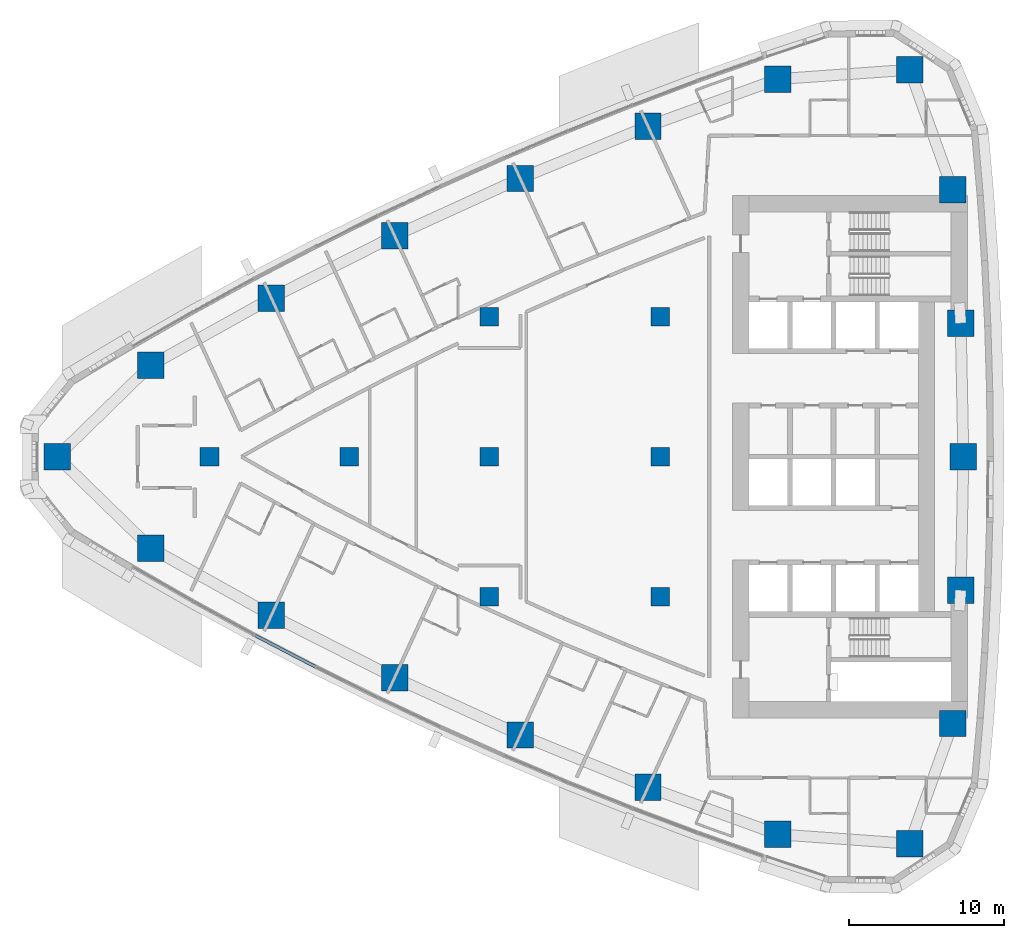
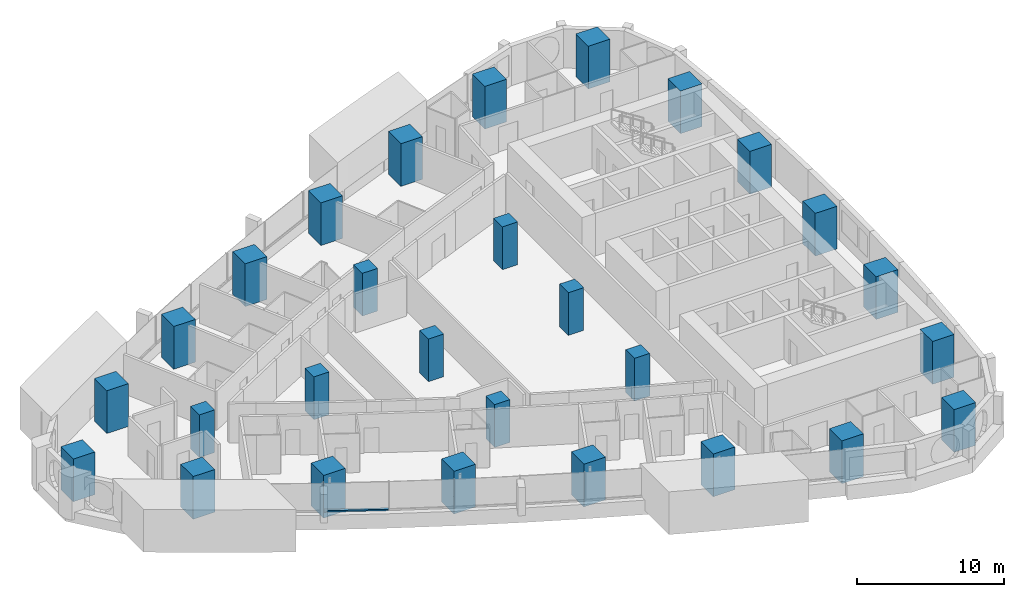
# One storey, part 1 of 17: 28 columns, 1 member, 1 element without a shape of its own.
"""IFC4 building model written with IfcOpenShell, lengths in metres."""

from ifc_helpers import new_model, si_unit, direction, frame, origin, origin_2d, place, context, subcontext, project, spatial, rectangle, extrude, material, layer, layer_set, material_profile, profile_set, type_object, element, aggregate, save


model = new_model("IFC4")

# Units and contexts
model_context = context("Model", 3, precision=1e-05, world=origin(), true_north=direction((0.0, 1.0)))
body_context = subcontext(model_context, "Body", "Model", "MODEL_VIEW")
ifc_project = project(units=[si_unit("LENGTHUNIT", "METRE"), si_unit("AREAUNIT", "SQUARE_METRE"), si_unit("VOLUMEUNIT", "CUBIC_METRE"), si_unit("PLANEANGLEUNIT", "RADIAN"), si_unit("MASSUNIT", "GRAM", prefix="KILO")], contexts=[model_context])

# Site, building, storey
site_placement = place(None, origin())
site = spatial("IfcSite", under=ifc_project, at=site_placement, CompositionType="ELEMENT")
building_placement = place(site_placement, origin())
building = spatial("IfcBuilding", under=site, at=building_placement, Name="Ostrand Prow Hotel Tower", CompositionType="ELEMENT")
storey_placement = place(building_placement, frame((0.0, 0.0, 113.300048828125)))
storey = spatial("IfcBuildingStorey", under=building, at=storey_placement, Name="L27", CompositionType="ELEMENT", Elevation=113.300048828125)

# Columns
ifc_material_1 = material(Name="Concrete C80/95", Category="concrete")
ifc_material_profile_1 = material_profile(ifc_material_1, rectangle(XDim=1.199951171875, YDim=1.199951171875, at=origin_2d()), Name="RC 1200x1200")
ifc_profile_set_1 = profile_set([ifc_material_profile_1], Name="Concrete C80/95")
column_type_1 = type_object("IfcColumnType", Name="Interior column 1200x1200 C80/95", PredefinedType="COLUMN", material=ifc_profile_set_1)
for number, where, z_axis, x_axis, name in (
    (1, (16.0, 0.0, 0.0), (0.0, 0.0, 1.0), (1.0, 0.0, 0.0), "Interior column 16C0"),
    (2, (25.0, 0.0, 0.0), (0.0, 0.0, 1.0), (1.0, 0.0, 0.0), "Interior column 25C0"),
    (3, (34.0, -9.0, 0.0), (0.0, 0.0, 1.0), (1.0, 0.0, 0.0), "Interior column 34S9"),
    (4, (34.0, 0.0, 0.0), (0.0, 0.0, 1.0), (1.0, 0.0, 0.0), "Interior column 34C0"),
    (5, (34.0, 9.0, 0.0), (0.0, 0.0, 1.0), (1.0, 0.0, 0.0), "Interior column 34N9"),
    (6, (45.0, -9.0, 0.0), (0.0, 0.0, 1.0), (1.0, 0.0, 0.0), "Interior column 45S9"),
    (7, (45.0, 0.0, 0.0), (0.0, 0.0, 1.0), (1.0, 0.0, 0.0), "Interior column 45C0"),
    (8, (45.0, 9.0, 0.0), (0.0, 0.0, 1.0), (1.0, 0.0, 0.0), "Interior column 45N9"),
):
    element("IfcColumn", number, at=place(storey_placement, frame(where, z_axis=z_axis, x_axis=x_axis)), inside=storey, type_object=column_type_1, Name=name, PredefinedType="COLUMN", context=body_context, shape_type="SweptSolid", body=[
        extrude(rectangle(XDim=1.199951171875, YDim=1.199951171875, at=origin_2d()), origin(), (0.0, 0.0, 1.0), 3.550048828125),
    ])
ifc_material_2 = material(Name="Concrete C80/95", Category="concrete")
ifc_material_profile_2 = material_profile(ifc_material_2, rectangle(XDim=1.699951171875, YDim=1.699951171875, at=origin_2d()), Name="RC 1700x1700")
ifc_profile_set_2 = profile_set([ifc_material_profile_2], Name="Concrete C80/95")
column_type_2 = type_object("IfcColumnType", Name="Stone-faced mega column 1700x1700 C80/95", PredefinedType="COLUMN", material=ifc_profile_set_2)
for number, where, z_axis, x_axis, name in (
    (9, (6.193115234375, 0.0, 0.0), (0.0, 0.0, 1.0), (1.0, 0.0, 0.0), "Mega column P"),
    (10, (12.221435546875, -5.876220703125, 0.0), (0.0, 0.0, 1.0), (1.0, 0.0, 0.0), "Mega column S1"),
    (11, (19.980712890625, -10.20166015625, 0.0), (0.0, 0.0, 1.0), (1.0, 0.0, 0.0), "Mega column S2"),
    (12, (27.906982421875, -14.212158203125, 0.0), (0.0, 0.0, 1.0), (1.0, 0.0, 0.0), "Mega column S3"),
    (13, (35.98828125, -17.901611328125, 0.0), (0.0, 0.0, 1.0), (1.0, 0.0, 0.0), "Mega column S4"),
    (14, (44.210693359375, -21.263671875, 0.0), (0.0, 0.0, 1.0), (1.0, 0.0, 0.0), "Mega column S5"),
    (15, (52.561767578125, -24.29296875, 0.0), (0.0, 0.0, 1.0), (1.0, 0.0, 0.0), "Mega column S6"),
    (16, (61.0400390625, -24.89697265625, 0.0), (0.0, 0.0, 1.0), (1.0, 0.0, 0.0), "Mega column SE"),
    (17, (63.815673828125, -17.16357421875, 0.0), (0.0, 0.0, 1.0), (1.0, 0.0, 0.0), "Mega column B1"),
    (18, (64.328857421875, -8.588623046875, 0.0), (0.0, 0.0, 1.0), (1.0, 0.0, 0.0), "Mega column B2"),
    (19, (64.5, 0.0, 0.0), (0.0, 0.0, 1.0), (1.0, 0.0, 0.0), "Mega column B3"),
    (20, (64.328857421875, 8.588623046875, 0.0), (0.0, 0.0, 1.0), (1.0, 0.0, 0.0), "Mega column B4"),
    (21, (63.815673828125, 17.16357421875, 0.0), (0.0, 0.0, 1.0), (1.0, 0.0, 0.0), "Mega column B5"),
    (22, (61.0400390625, 24.89697265625, 0.0), (0.0, 0.0, 1.0), (1.0, 0.0, 0.0), "Mega column NE"),
    (23, (52.561767578125, 24.29296875, 0.0), (0.0, 0.0, 1.0), (1.0, 0.0, 0.0), "Mega column N1"),
    (24, (44.210693359375, 21.263671875, 0.0), (0.0, 0.0, 1.0), (1.0, 0.0, 0.0), "Mega column N2"),
    (25, (35.98828125, 17.901611328125, 0.0), (0.0, 0.0, 1.0), (1.0, 0.0, 0.0), "Mega column N3"),
    (26, (27.906982421875, 14.212158203125, 0.0), (0.0, 0.0, 1.0), (1.0, 0.0, 0.0), "Mega column N4"),
    (27, (19.980712890625, 10.20166015625, 0.0), (0.0, 0.0, 1.0), (1.0, 0.0, 0.0), "Mega column N5"),
    (28, (12.221435546875, 5.876220703125, 0.0), (0.0, 0.0, 1.0), (1.0, 0.0, 0.0), "Mega column N6"),
):
    element("IfcColumn", number, at=place(storey_placement, frame(where, z_axis=z_axis, x_axis=x_axis)), inside=storey, type_object=column_type_2, Name=name, PredefinedType="COLUMN", context=body_context, shape_type="SweptSolid", body=[
        extrude(rectangle(XDim=1.699951171875, YDim=1.699951171875, at=origin_2d()), origin(), (0.0, 0.0, 1.0), 3.550048828125),
    ])

# Curtain wall, member
ifc_material_3 = material(Name="Insulated glass in bronze anodised frame", Category="glass")
ifc_layer = layer(ifc_material_3, 0.199951171875)
ifc_layer_set = layer_set([ifc_layer], Name="Insulated glass in bronze anodised frame")
curtain_wall_type = type_object("IfcCurtainWallType", Name="Strip curtain wall, fritted glass over bronze spandrel", PredefinedType="NOTDEFINED", material=ifc_layer_set)
curtain_wall_placement = place(storey_placement, origin())
curtain_wall = element("IfcCurtainWall", 29, at=curtain_wall_placement, inside=storey, type_object=curtain_wall_type, Name="CW1 run CWS2", PredefinedType="NOTDEFINED")
ifc_material_4 = material(Name="Bronze anodised aluminium", Category="aluminium")
ifc_material_profile_3 = material_profile(ifc_material_4, rectangle(XDim=0.199951171875, YDim=0.1201171875, at=origin_2d()), Name="Transom 120x200 bronze anodised aluminium")
ifc_profile_set_3 = profile_set([ifc_material_profile_3], Name="Bronze anodised aluminium")
member_type = type_object("IfcMemberType", Name="Transom 120x200 bronze anodised aluminium", PredefinedType="USERDEFINED", material=ifc_profile_set_3)
member_placement = place(storey_placement, frame((18.89697265625, -11.475830078125, 0.9599609375), z_axis=(0.886901787206, -0.461958028235, 0.0), x_axis=(0.461958028235, 0.886901787206, 0.0)))
member = element("IfcMember", 30, at=member_placement, type_object=member_type, Name="CW1 transom 1.1", ObjectType="TRANSOM", PredefinedType="USERDEFINED", context=body_context, shape_type="SweptSolid", body=[
    extrude(rectangle(XDim=0.199951171875, YDim=0.1201171875, at=origin_2d()), origin(), (0.0, 0.0, 1.0), 4.406005859375),
])
aggregate(curtain_wall, [member])

save(model, "model.ifc")
